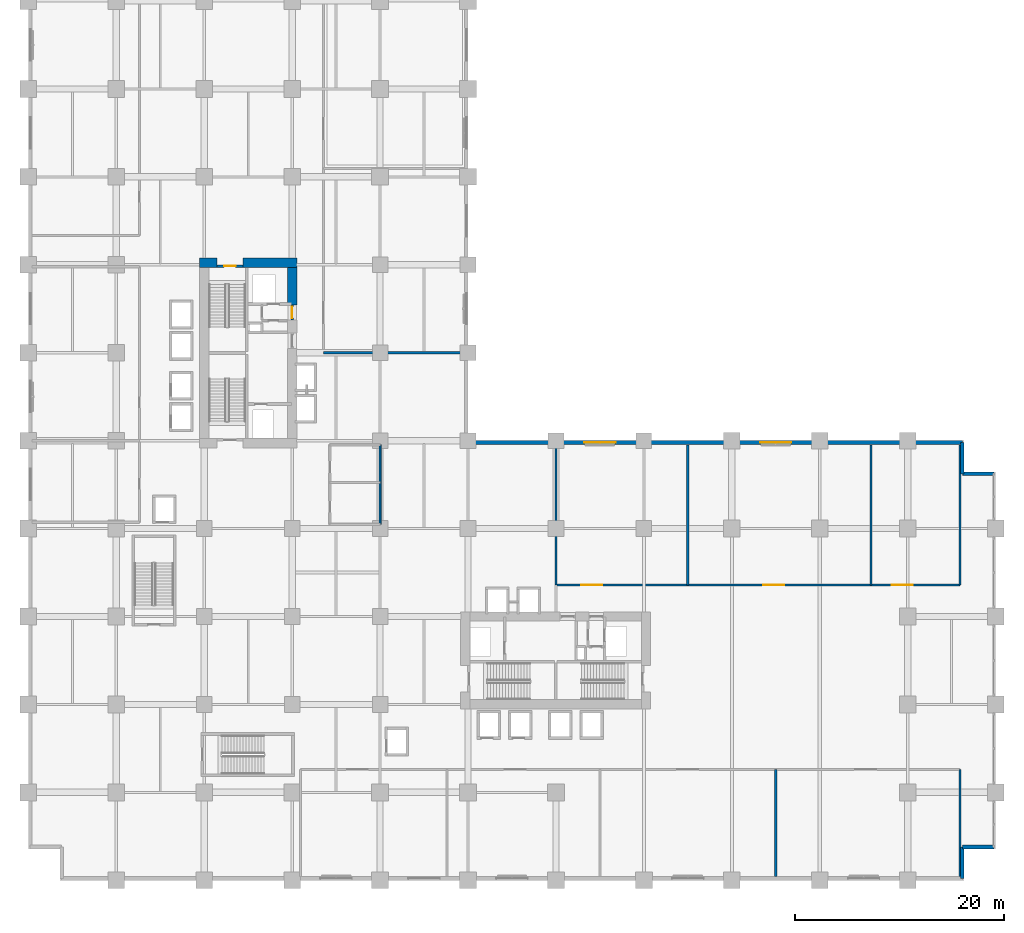
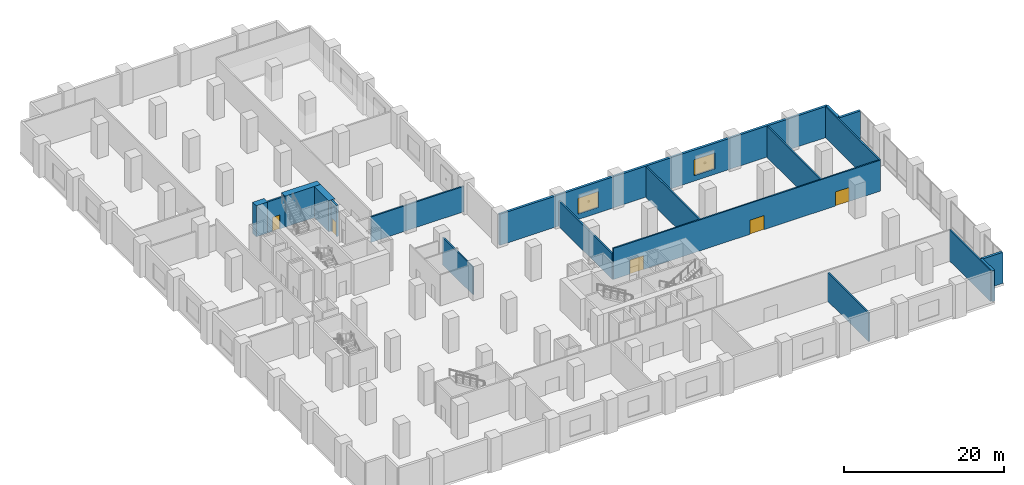
# One storey, part 13 of 23: 19 walls, 5 doors, 2 windows, 7 openings.
"""IFC4 building model written with IfcOpenShell, lengths in metres."""

from ifc_helpers import new_model, si_unit, direction, frame, frame_2d, origin, place, context, subcontext, project, spatial, rectangle, extrude, material, layer, layer_set, type_object, element, fill, save


model = new_model("IFC4")

# Units and contexts
model_context = context("Model", 3, precision=1e-05, world=origin(), true_north=direction((0.0, 1.0)))
body_context = subcontext(model_context, "Body", "Model", "MODEL_VIEW")
ifc_project = project(units=[si_unit("LENGTHUNIT", "METRE"), si_unit("AREAUNIT", "SQUARE_METRE"), si_unit("VOLUMEUNIT", "CUBIC_METRE"), si_unit("PLANEANGLEUNIT", "RADIAN"), si_unit("MASSUNIT", "GRAM", prefix="KILO")], contexts=[model_context])

# Site, building, storey
site_placement = place(None, origin())
site = spatial("IfcSite", under=ifc_project, at=site_placement, CompositionType="ELEMENT")
building_placement = place(site_placement, origin())
building = spatial("IfcBuilding", under=site, at=building_placement, Name="Koriwani Terraces Tower", CompositionType="ELEMENT")
storey_placement = place(building_placement, frame((0.0, 0.0, 20.800048828125)))
storey = spatial("IfcBuildingStorey", under=building, at=storey_placement, Name="L04", CompositionType="ELEMENT", Elevation=20.800048828125)

# Walls
ifc_material_1 = material(Name="Concrete C60/75", Category="concrete")
ifc_layer_1 = layer(ifc_material_1, 0.89990234375, Name="Concrete C60/75")
ifc_layer_set_1 = layer_set([ifc_layer_1], Name="Concrete C60/75")
wall_type_1 = type_object("IfcWallType", Name="WALL_CORE_RC_900", PredefinedType="SHEAR", material=ifc_layer_set_1)
wall_1_placement = place(storey_placement, frame((16.35009765625, 59.0, 0.0), z_axis=(0.0, 0.0, 1.0), x_axis=(1.0, 0.0, 0.0)))
element("IfcWall", 1, at=wall_1_placement, inside=storey, type_object=wall_type_1, Name="L04 West Split Core Shear Wall N1", PredefinedType="SHEAR", context=body_context, shape_type="SweptSolid", body=[
    extrude(rectangle(XDim=1.64990234375, YDim=0.89990234375, at=frame_2d((0.824951171875, 0.0))), origin(), (0.0, 0.0, 1.0), 4.75),
])
wall_2_placement = place(storey_placement, frame((20.5, 59.0, 0.0), z_axis=(0.0, 0.0, 1.0), x_axis=(1.0, 0.0, 0.0)))
element("IfcWall", 2, at=wall_2_placement, inside=storey, type_object=wall_type_1, Name="L04 West Split Core Shear Wall N2", PredefinedType="SHEAR", context=body_context, shape_type="SweptSolid", body=[
    extrude(rectangle(XDim=5.14990234375, YDim=0.89990234375, at=frame_2d((2.574951171875, 0.0))), origin(), (0.0, 0.0, 1.0), 4.75),
])
wall_3_placement = place(storey_placement, frame((25.199951171875, 54.949951171875, 0.0), z_axis=(0.0, 0.0, 1.0), x_axis=(0.0, 1.0, 0.0)))
element("IfcWall", 3, at=wall_3_placement, inside=storey, type_object=wall_type_1, Name="L04 West Split Core Shear Wall E3", PredefinedType="SHEAR", context=body_context, shape_type="SweptSolid", body=[
    extrude(rectangle(XDim=3.60009765625, YDim=0.89990234375, at=frame_2d((1.800048828125, 0.0))), origin(), (0.0, 0.0, 1.0), 4.75),
])

# Wall, openings, doors
ifc_material_2 = material(Name="Autoclaved Cellular Concrete Blockwork", Category="masonry")
ifc_layer_2 = layer(ifc_material_2, 0.199951171875, Name="Autoclaved Cellular Concrete Blockwork")
ifc_layer_set_2 = layer_set([ifc_layer_2], Name="Autoclaved Cellular Concrete Blockwork")
wall_type_2 = type_object("IfcWallType", Name="WALL_CORRIDOR_200", PredefinedType="PARTITIONING", material=ifc_layer_set_2)
wall_4_placement = place(storey_placement, frame((50.39990234375, 28.199951171875, 0.0), z_axis=(0.0, 0.0, 1.0), x_axis=(1.0, 0.0, 0.0)))
wall_4 = element("IfcWall", 4, at=wall_4_placement, inside=storey, type_object=wall_type_2, Name="L04 Interior Wall WPOD-INE-L04-0", PredefinedType="PARTITIONING", context=body_context, shape_type="SweptSolid", body=[
    extrude(rectangle(XDim=38.60009765625, YDim=0.199951171875, at=frame_2d((19.300048828125, 0.0))), origin(), (0.0, 0.0, 1.0), 4.75),
])
opening_1_placement = place(wall_4_placement, frame((2.39990234375, 0.0, 0.0)))
opening_1 = element("IfcOpeningElement", 5, at=opening_1_placement, cuts=wall_4, Name="Opening D-02", PredefinedType="OPENING", context=body_context, shape_type="SweptSolid", body=[
    extrude(rectangle(XDim=2.0, YDim=2.14990234375, at=frame_2d((1.0, 1.074951171875))), frame((0.0, 0.10986328125, 0.0), z_axis=(0.0, -1.0, 0.0), x_axis=(1.0, 0.0, 0.0)), (0.0, 0.0, 1.0), 0.219970703125),
])
opening_2_placement = place(wall_4_placement, frame((19.800048828125, 0.0, 0.0)))
opening_2 = element("IfcOpeningElement", 6, at=opening_2_placement, cuts=wall_4, Name="Opening D-02", PredefinedType="OPENING", context=body_context, shape_type="SweptSolid", body=[
    extrude(rectangle(XDim=2.0, YDim=2.14990234375, at=frame_2d((1.0, 1.074951171875))), frame((0.0, 0.10986328125, 0.0), z_axis=(0.0, -1.0, 0.0), x_axis=(1.0, 0.0, 0.0)), (0.0, 0.0, 1.0), 0.219970703125),
])
opening_3_placement = place(wall_4_placement, frame((32.10009765625, 0.0, 0.0)))
opening_3 = element("IfcOpeningElement", 7, at=opening_3_placement, cuts=wall_4, Name="Opening D-02", PredefinedType="OPENING", context=body_context, shape_type="SweptSolid", body=[
    extrude(rectangle(XDim=2.0, YDim=2.14990234375, at=frame_2d((1.0, 1.074951171875))), frame((0.0, 0.10986328125, 0.0), z_axis=(0.0, -1.0, 0.0), x_axis=(1.0, 0.0, 0.0)), (0.0, 0.0, 1.0), 0.219970703125),
])
ifc_material_3 = material(Name="Anodised Bronze Aluminium", Category="aluminium")
door_type_1 = type_object("IfcDoorType", Name="DOOR_ENTRANCE_DOUBLE_2000X2400", OperationType="NOTDEFINED", PredefinedType="DOOR", material=ifc_material_3)
door_1_placement = place(opening_1_placement, origin())
door_1 = element("IfcDoor", 8, at=door_1_placement, inside=storey, type_object=door_type_1, Name="L04 East Galleria Pavilion 1 Door", OperationType="SINGLE_SWING_LEFT", OverallHeight=2.14990234375, OverallWidth=2.0, PredefinedType="DOOR", context=body_context, shape_type="SweptSolid", body=[
    extrude(rectangle(XDim=2.0, YDim=2.14990234375, at=frame_2d((1.0, 1.074951171875))), frame((0.0, 0.02490234375, 0.0), z_axis=(0.0, -1.0, 0.0), x_axis=(1.0, 0.0, 0.0)), (0.0, 0.0, 1.0), 0.050048828125),
])
fill(opening_1, door_1)
door_2_placement = place(opening_2_placement, origin())
door_2 = element("IfcDoor", 9, at=door_2_placement, inside=storey, type_object=door_type_1, Name="L04 East Galleria Pavilion 2 Door", OperationType="SINGLE_SWING_RIGHT", OverallHeight=2.14990234375, OverallWidth=2.0, PredefinedType="DOOR", context=body_context, shape_type="SweptSolid", body=[
    extrude(rectangle(XDim=2.0, YDim=2.14990234375, at=frame_2d((1.0, 1.074951171875))), frame((0.0, 0.02490234375, 0.0), z_axis=(0.0, -1.0, 0.0), x_axis=(1.0, 0.0, 0.0)), (0.0, 0.0, 1.0), 0.050048828125),
])
fill(opening_2, door_2)
door_3_placement = place(opening_3_placement, origin())
door_3 = element("IfcDoor", 10, at=door_3_placement, inside=storey, type_object=door_type_1, Name="L04 East Galleria Pavilion 3 Door", OperationType="SINGLE_SWING_LEFT", OverallHeight=2.14990234375, OverallWidth=2.0, PredefinedType="DOOR", context=body_context, shape_type="SweptSolid", body=[
    extrude(rectangle(XDim=2.0, YDim=2.14990234375, at=frame_2d((1.0, 1.074951171875))), frame((0.0, 0.02490234375, 0.0), z_axis=(0.0, -1.0, 0.0), x_axis=(1.0, 0.0, 0.0)), (0.0, 0.0, 1.0), 0.050048828125),
])
fill(opening_3, door_3)

# Walls
ifc_layer_3 = layer(ifc_material_2, 0.219970703125, Name="Autoclaved Cellular Concrete Blockwork")
ifc_layer_set_3 = layer_set([ifc_layer_3], Name="Autoclaved Cellular Concrete Blockwork")
wall_type_3 = type_object("IfcWallType", Name="WALL_DEMISING_220", PredefinedType="PARTITIONING", material=ifc_layer_set_3)
wall_5_placement = place(storey_placement, frame((71.39990234375, 0.35009765625, 0.0), z_axis=(0.0, 0.0, 1.0), x_axis=(0.0, 1.0, 0.0)))
element("IfcWall", 11, at=wall_5_placement, inside=storey, type_object=wall_type_3, Name="L04 Interior Wall WL04-CFD-3", PredefinedType="PARTITIONING", context=body_context, shape_type="SweptSolid", body=[
    extrude(rectangle(XDim=10.25, YDim=0.219970703125, at=frame_2d((5.125, 0.0))), origin(), (0.0, 0.0, 1.0), 4.386962890625),
])
wall_6_placement = place(storey_placement, frame((89.0, 0.35009765625, 0.0), z_axis=(0.0, 0.0, 1.0), x_axis=(0.0, 1.0, 0.0)))
element("IfcWall", 12, at=wall_6_placement, inside=storey, type_object=wall_type_3, Name="L04 Interior Wall WL04-CFDE", PredefinedType="PARTITIONING", context=body_context, shape_type="SweptSolid", body=[
    extrude(rectangle(XDim=10.25, YDim=0.219970703125, at=frame_2d((5.125, 0.0))), origin(), (0.0, 0.0, 1.0), 4.75),
])
for number, where, z_axis, x_axis, name in (
    (13, (28.199951171875, 50.39990234375, 0.0), (0.0, 0.0, 1.0), (1.0, 0.0, 0.0), "L04 Interior Wall WPOD-INWD-L04-0"),
    (14, (50.39990234375, 28.199951171875, 0.0), (0.0, 0.0, 1.0), (0.0, 1.0, 0.0), "L04 Interior Wall WPOD-INED-L04-0"),
):
    element("IfcWall", number, at=place(storey_placement, frame(where, z_axis=z_axis, x_axis=x_axis)), inside=storey, type_object=wall_type_3, Name=name, PredefinedType="PARTITIONING", context=body_context, shape_type="SweptSolid", body=[
        extrude(rectangle(XDim=13.400146484375, YDim=0.219970703125, at=frame_2d((6.7001953125, 0.0))), origin(), (0.0, 0.0, 1.0), 3.89990234375),
    ])
for number, where, z_axis, x_axis, name in (
    (15, (63.0, 28.199951171875, 0.0), (0.0, 0.0, 1.0), (0.0, 1.0, 0.0), "L04 Interior Wall WPOD-INED-L04-1"),
    (16, (80.5, 28.199951171875, 0.0), (0.0, 0.0, 1.0), (0.0, 1.0, 0.0), "L04 Interior Wall WPOD-INED-L04-2"),
    (17, (89.0, 28.199951171875, 0.0), (0.0, 0.0, 1.0), (0.0, 1.0, 0.0), "L04 Interior Wall WPOD-INEDE-L04"),
):
    element("IfcWall", number, at=place(storey_placement, frame(where, z_axis=z_axis, x_axis=x_axis)), inside=storey, type_object=wall_type_3, Name=name, PredefinedType="PARTITIONING", context=body_context, shape_type="SweptSolid", body=[
        extrude(rectangle(XDim=13.400146484375, YDim=0.219970703125, at=frame_2d((6.7001953125, 0.0))), origin(), (0.0, 0.0, 1.0), 4.75),
    ])

# Wall, openings, windows
ifc_material_4 = material(Name="Concrete C50/60", Category="concrete")
ifc_layer_4 = layer(ifc_material_4, 0.35009765625, Name="Concrete C50/60")
ifc_layer_set_4 = layer_set([ifc_layer_4], Name="Concrete C50/60")
wall_type_4 = type_object("IfcWallType", Name="WALL_EXT_BRUTALIST_350", PredefinedType="STANDARD", material=ifc_layer_set_4)
wall_7_placement = place(storey_placement, frame((41.824951171875, 41.824951171875, 0.0), z_axis=(0.0, 0.0, 1.0), x_axis=(1.0, 0.0, 0.0)))
wall_7 = element("IfcWall", 18, at=wall_7_placement, inside=storey, type_object=wall_type_4, Name="L04 Fair-Faced Brutalist Exterior Wall (NE)", PredefinedType="STANDARD", context=body_context, shape_type="SweptSolid", body=[
    extrude(rectangle(XDim=47.400146484375, YDim=0.35009765625, at=frame_2d((23.7001953125, 0.0))), origin(), (0.0, 0.0, 1.0), 4.75),
])
opening_4_placement = place(wall_7_placement, frame((11.27490234375, 0.0, 0.85009765625)))
opening_4 = element("IfcOpeningElement", 19, at=opening_4_placement, cuts=wall_7, Name="Opening W-06", PredefinedType="OPENING", context=body_context, shape_type="SweptSolid", body=[
    extrude(rectangle(XDim=3.0, YDim=2.39990234375, at=frame_2d((1.5, 1.199951171875))), frame((0.0, 0.18505859375, 0.0), z_axis=(0.0, -1.0, 0.0), x_axis=(1.0, 0.0, 0.0)), (0.0, 0.0, 1.0), 0.3701171875),
])
opening_5_placement = place(wall_7_placement, frame((28.074951171875, 0.0, 0.85009765625)))
opening_5 = element("IfcOpeningElement", 20, at=opening_5_placement, cuts=wall_7, Name="Opening W-06", PredefinedType="OPENING", context=body_context, shape_type="SweptSolid", body=[
    extrude(rectangle(XDim=3.0, YDim=2.39990234375, at=frame_2d((1.5, 1.199951171875))), frame((0.0, 0.18505859375, 0.0), z_axis=(0.0, -1.0, 0.0), x_axis=(1.0, 0.0, 0.0)), (0.0, 0.0, 1.0), 0.3701171875),
])
ifc_material_5 = material(Name="Tempered Laminated Low-E Glass", Category="glass")
window_type = type_object("IfcWindowType", Name="WIN_PODIUM_PUNCHED_3000X2400", PartitioningType="TRIPLE_PANEL_VERTICAL", PredefinedType="WINDOW", material=ifc_material_5)
window_1_placement = place(opening_4_placement, origin())
window_1 = element("IfcWindow", 21, at=window_1_placement, inside=storey, type_object=window_type, Name="L04 Exterior Window (NE-5)", OverallHeight=2.39990234375, OverallWidth=3.0, PartitioningType="SINGLE_PANEL", PredefinedType="WINDOW", context=body_context, shape_type="SweptSolid", body=[
    extrude(rectangle(XDim=3.0, YDim=2.39990234375, at=frame_2d((1.5, 1.199951171875))), frame((0.0, 0.030029296875, 0.0), z_axis=(0.0, -1.0, 0.0), x_axis=(1.0, 0.0, 0.0)), (0.0, 0.0, 1.0), 0.06005859375),
])
fill(opening_4, window_1)
window_2_placement = place(opening_5_placement, origin())
window_2 = element("IfcWindow", 22, at=window_2_placement, inside=storey, type_object=window_type, Name="L04 Exterior Window (NE-11)", OverallHeight=2.39990234375, OverallWidth=3.0, PartitioningType="SINGLE_PANEL", PredefinedType="WINDOW", context=body_context, shape_type="SweptSolid", body=[
    extrude(rectangle(XDim=3.0, YDim=2.39990234375, at=frame_2d((1.5, 1.199951171875))), frame((0.0, 0.030029296875, 0.0), z_axis=(0.0, -1.0, 0.0), x_axis=(1.0, 0.0, 0.0)), (0.0, 0.0, 1.0), 0.06005859375),
])
fill(opening_5, window_2)

# Walls
for number, where, z_axis, x_axis, name in (
    (23, (89.22509765625, 41.824951171875, 0.0), (0.0, 0.0, 1.0), (0.0, -1.0, 0.0), "L04 Fair-Faced Brutalist Exterior Wall (N10)"),
    (24, (89.22509765625, 38.824951171875, 0.0), (0.0, 0.0, 1.0), (1.0, 0.0, 0.0), "L04 Fair-Faced Brutalist Exterior Wall (N11)"),
    (25, (92.22509765625, 3.175048828125, 0.0), (0.0, 0.0, 1.0), (-1.0, 0.0, 0.0), "L04 Fair-Faced Brutalist Exterior Wall (N13)"),
    (26, (89.22509765625, 3.175048828125, 0.0), (0.0, 0.0, 1.0), (0.0, -1.0, 0.0), "L04 Fair-Faced Brutalist Exterior Wall (N14)"),
):
    element("IfcWall", number, at=place(storey_placement, frame(where, z_axis=z_axis, x_axis=x_axis)), inside=storey, type_object=wall_type_4, Name=name, PredefinedType="STANDARD", context=body_context, shape_type="SweptSolid", body=[
        extrude(rectangle(XDim=3.0, YDim=0.35009765625, at=frame_2d((1.5, 0.0))), origin(), (0.0, 0.0, 1.0), 4.75),
    ])
ifc_material_6 = material(Name="Fire-Rated Acoustic Gypsum Partition", Category="masonry")
ifc_layer_5 = layer(ifc_material_6, 0.179931640625, Name="Fire-Rated Acoustic Gypsum Partition")
ifc_layer_set_5 = layer_set([ifc_layer_5], Name="Fire-Rated Acoustic Gypsum Partition")
wall_type_5 = type_object("IfcWallType", Name="WALL_PLUMBING_180", PredefinedType="PLUMBINGWALL", material=ifc_layer_set_5)
wall_8_placement = place(storey_placement, frame((33.60009765625, 34.0, 0.0), z_axis=(0.0, 0.0, 1.0), x_axis=(0.0, 1.0, 0.0)))
element("IfcWall", 27, at=wall_8_placement, inside=storey, type_object=wall_type_5, Name="L04 Interior Wall WPOD-WCE-L04", PredefinedType="PLUMBINGWALL", context=body_context, shape_type="SweptSolid", body=[
    extrude(rectangle(XDim=7.60009765625, YDim=0.179931640625, at=frame_2d((3.800048828125, 0.0))), origin(), (0.0, 0.0, 1.0), 4.2109375),
])

# Wall, opening, door
ifc_material_7 = material(Name="Concrete C40/50", Category="concrete")
ifc_layer_6 = layer(ifc_material_7, 0.25, Name="Concrete C40/50")
ifc_layer_set_6 = layer_set([ifc_layer_6], Name="Concrete C40/50")
wall_type_6 = type_object("IfcWallType", Name="WALL_SHAFT_RATED_250", PredefinedType="SOLIDWALL", material=ifc_layer_set_6)
wall_9_placement = place(storey_placement, frame((18.0, 58.675048828125, 0.0), z_axis=(0.0, 0.0, 1.0), x_axis=(1.0, 0.0, 0.0)))
wall_9 = element("IfcWall", 28, at=wall_9_placement, inside=storey, type_object=wall_type_6, Name="L04 Interior Wall WIN-CW-L04-STN", PredefinedType="SOLIDWALL", context=body_context, shape_type="SweptSolid", body=[
    extrude(rectangle(XDim=2.5, YDim=0.25, at=frame_2d((1.25, 0.0))), origin(), (0.0, 0.0, 1.0), 4.75),
])
opening_6_placement = place(wall_9_placement, frame((0.699951171875, 0.0, 0.0)))
opening_6 = element("IfcOpeningElement", 29, at=opening_6_placement, cuts=wall_9, Name="Opening D-03", PredefinedType="OPENING", context=body_context, shape_type="SweptSolid", body=[
    extrude(rectangle(XDim=1.10009765625, YDim=2.14990234375, at=frame_2d((0.550048828125, 1.074951171875))), frame((0.0, 0.135009765625, 0.0), z_axis=(0.0, -1.0, 0.0), x_axis=(1.0, 0.0, 0.0)), (0.0, 0.0, 1.0), 0.27001953125),
])
ifc_material_8 = material(Name="Steel ASTM A572 Grade 50", Category="steel")
door_type_2 = type_object("IfcDoorType", Name="DOOR_STAIR_FIRE_1100X2150", OperationType="NOTDEFINED", PredefinedType="DOOR", material=ifc_material_8)
door_4_placement = place(opening_6_placement, origin())
door_4 = element("IfcDoor", 30, at=door_4_placement, inside=storey, type_object=door_type_2, Name="L04 Exit Stair ST-W2 Door", OperationType="SINGLE_SWING_LEFT", OverallHeight=2.14990234375, OverallWidth=1.10009765625, PredefinedType="DOOR", context=body_context, shape_type="SweptSolid", body=[
    extrude(rectangle(XDim=1.10009765625, YDim=2.14990234375, at=frame_2d((0.550048828125, 1.074951171875))), frame((0.0, 0.02490234375, 0.0), z_axis=(0.0, -1.0, 0.0), x_axis=(1.0, 0.0, 0.0)), (0.0, 0.0, 1.0), 0.050048828125),
])
fill(opening_6, door_4)

wall_10_placement = place(storey_placement, frame((25.199951171875, 53.550048828125, 0.0), z_axis=(0.0, 0.0, 1.0), x_axis=(0.0, 1.0, 0.0)))
wall_10 = element("IfcWall", 31, at=wall_10_placement, inside=storey, type_object=wall_type_6, Name="L04 Interior Wall WIN-CW-L04-EP2", PredefinedType="SOLIDWALL", context=body_context, shape_type="SweptSolid", body=[
    extrude(rectangle(XDim=1.39990234375, YDim=0.25, at=frame_2d((0.699951171875, 0.0))), origin(), (0.0, 0.0, 1.0), 4.75),
])
opening_7_placement = place(wall_10_placement, frame((0.14990234375, 0.0, 0.0)))
opening_7 = element("IfcOpeningElement", 32, at=opening_7_placement, cuts=wall_10, Name="Opening D-03", PredefinedType="OPENING", context=body_context, shape_type="SweptSolid", body=[
    extrude(rectangle(XDim=1.10009765625, YDim=2.14990234375, at=frame_2d((0.550048828125, 1.074951171875))), frame((0.0, 0.135009765625, 0.0), z_axis=(0.0, -1.0, 0.0), x_axis=(1.0, 0.0, 0.0)), (0.0, 0.0, 1.0), 0.27001953125),
])
door_5_placement = place(opening_7_placement, origin())
door_5 = element("IfcDoor", 33, at=door_5_placement, inside=storey, type_object=door_type_2, Name="L04 West Goods Lift Lobby Door", OperationType="SINGLE_SWING_LEFT", OverallHeight=2.14990234375, OverallWidth=1.10009765625, PredefinedType="DOOR", context=body_context, shape_type="SweptSolid", body=[
    extrude(rectangle(XDim=1.10009765625, YDim=2.14990234375, at=frame_2d((0.550048828125, 1.074951171875))), frame((0.0, 0.02490234375, 0.0), z_axis=(0.0, -1.0, 0.0), x_axis=(1.0, 0.0, 0.0)), (0.0, 0.0, 1.0), 0.050048828125),
])
fill(opening_7, door_5)

save(model, "model.ifc")
